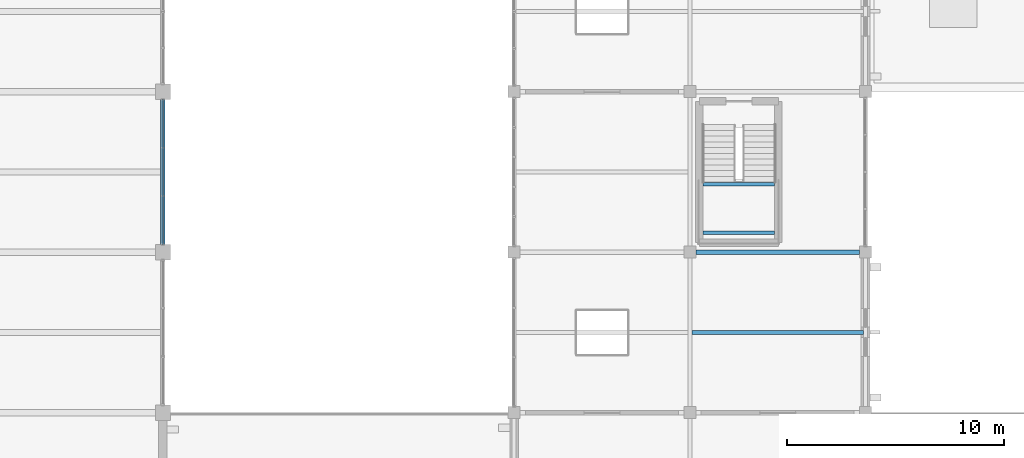
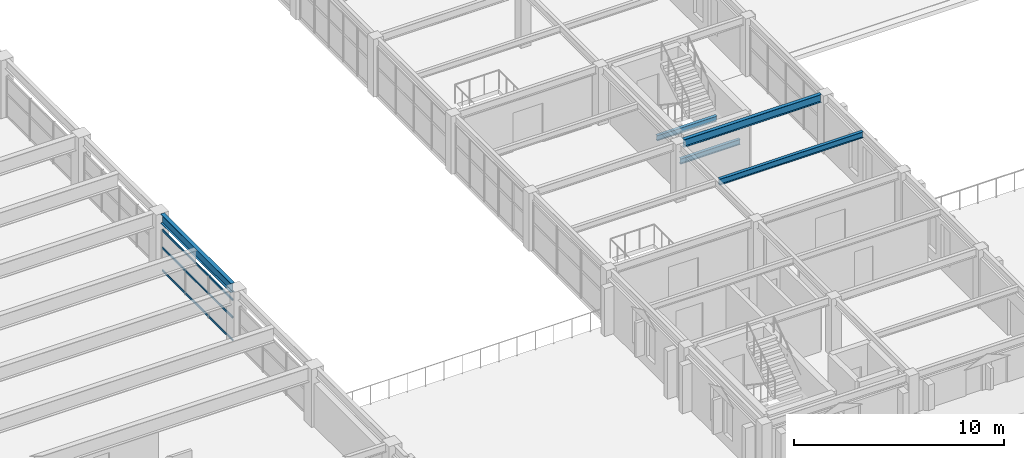
# One storey, part 34 of 121: 5 beams, 3 members, 1 element without a shape of its own.
"""IFC4 building model written with IfcOpenShell, lengths in metres."""

from ifc_helpers import new_model, si_unit, direction, frame, origin, origin_2d, place, context, subcontext, project, spatial, hollow_rectangle, i_section, extrude, material, material_profile, profile_set, type_object, element, aggregate, save


model = new_model("IFC4")

# Units and contexts
model_context = context("Model", 3, precision=1e-05, world=origin(), true_north=direction((0.0, 1.0)))
body_context = subcontext(model_context, "Body", "Model", "MODEL_VIEW")
ifc_project = project(units=[si_unit("LENGTHUNIT", "METRE"), si_unit("AREAUNIT", "SQUARE_METRE"), si_unit("VOLUMEUNIT", "CUBIC_METRE"), si_unit("PLANEANGLEUNIT", "RADIAN"), si_unit("MASSUNIT", "GRAM", prefix="KILO")], contexts=[model_context])

# Site, building, storey
site_placement = place(None, origin())
site = spatial("IfcSite", under=ifc_project, at=site_placement, CompositionType="ELEMENT")
building_placement = place(site_placement, origin())
building = spatial("IfcBuilding", under=site, at=building_placement, Name="Cimatlan Art Gallery", CompositionType="ELEMENT")
storey_placement = place(building_placement, frame((0.0, 0.0, 10.199951171875)))
storey = spatial("IfcBuildingStorey", under=building, at=storey_placement, Name="L02", CompositionType="ELEMENT", Elevation=10.199951171875)

# Beams
ifc_material_1 = material(Name="Steel ASTM A992 Grade 50", Category="steel")
ifc_material_profile_1 = material_profile(ifc_material_1, i_section(OverallWidth=0.1650390625, OverallDepth=0.31005859375, WebThickness=0.005859375, FlangeThickness=0.009765625, at=origin_2d()), Name="W12X26")
ifc_profile_set_1 = profile_set([ifc_material_profile_1], Name="Steel ASTM A992 Grade 50")
beam_type_1 = type_object("IfcBeamType", Name="BM-STL-W12X26", PredefinedType="JOIST", material=ifc_profile_set_1)
for number, where, z_axis, x_axis, name in (
    (1, (124.114990234375, 47.0, 1.425048828125), (1.0, 0.0, 0.0), (0.0, 1.0, 0.0), "BM-STR-C9-L02-LH1"),
    (2, (124.114990234375, 49.22998046875, 1.425048828125), (1.0, 0.0, 0.0), (0.0, 1.0, 0.0), "BM-STR-C9-L02-LH2"),
):
    element("IfcBeam", number, at=place(storey_placement, frame(where, z_axis=z_axis, x_axis=x_axis)), inside=storey, type_object=beam_type_1, Name=name, PredefinedType="JOIST", context=body_context, shape_type="SweptSolid", body=[
        extrude(i_section(OverallWidth=0.1650390625, OverallDepth=0.31005859375, WebThickness=0.005859375, FlangeThickness=0.009765625, at=origin_2d()), origin(), (0.0, 0.0, 1.0), 3.2900390625),
    ])
ifc_material_profile_2 = material_profile(ifc_material_1, i_section(OverallWidth=0.1708984375, OverallDepth=0.35107421875, WebThickness=0.0068359375, FlangeThickness=0.009765625, at=origin_2d()), Name="W14X30")
ifc_profile_set_2 = profile_set([ifc_material_profile_2], Name="Steel ASTM A992 Grade 50")
beam_type_2 = type_object("IfcBeamType", Name="BM-STL-W14X30", PredefinedType="JOIST", material=ifc_profile_set_2)
beam_1_placement = place(storey_placement, frame((123.595458984375, 42.39990234375, 3.194580078125), z_axis=(1.0, 0.0, 0.0), x_axis=(0.0, 1.0, 0.0)))
element("IfcBeam", 3, at=beam_1_placement, inside=storey, type_object=beam_type_2, Name="JST-L02-15-05", PredefinedType="JOIST", context=body_context, shape_type="SweptSolid", body=[
    extrude(i_section(OverallWidth=0.1708984375, OverallDepth=0.35107421875, WebThickness=0.0068359375, FlangeThickness=0.009765625, at=origin_2d()), origin(), (0.0, 0.0, 1.0), 7.908935546875),
])
ifc_material_profile_3 = material_profile(ifc_material_1, i_section(OverallWidth=0.19091796875, OverallDepth=0.45703125, WebThickness=0.009033203125, FlangeThickness=0.014404296875, at=origin_2d()), Name="W18X50")
ifc_profile_set_3 = profile_set([ifc_material_profile_3], Name="Steel ASTM A992 Grade 50")
beam_type_3 = type_object("IfcBeamType", Name="BM-STL-W18X50", PredefinedType="BEAM", material=ifc_profile_set_3)
beam_2_placement = place(storey_placement, frame((123.77490234375, 46.10009765625, 3.1416015625), z_axis=(1.0, 0.0, 0.0), x_axis=(0.0, 1.0, 0.0)))
element("IfcBeam", 4, at=beam_2_placement, inside=storey, type_object=beam_type_3, Name="BM-X-L02-15-06", PredefinedType="BEAM", context=body_context, shape_type="SweptSolid", body=[
    extrude(i_section(OverallWidth=0.19091796875, OverallDepth=0.45703125, WebThickness=0.009033203125, FlangeThickness=0.014404296875, at=origin_2d()), origin(), (0.0, 0.0, 1.0), 7.550048828125),
])
ifc_material_profile_4 = material_profile(ifc_material_1, i_section(OverallWidth=0.2099609375, OverallDepth=0.532958984375, WebThickness=0.01025390625, FlangeThickness=0.015625, at=origin_2d()), Name="W21X62")
ifc_profile_set_4 = profile_set([ifc_material_profile_4], Name="Steel ASTM A992 Grade 50")
beam_type_4 = type_object("IfcBeamType", Name="BM-STL-W21X62", PredefinedType="BEAM", material=ifc_profile_set_4)
beam_3_placement = place(storey_placement, frame((99.199951171875, 46.449951171875, 3.103515625), z_axis=(0.0, 1.0, 0.0), x_axis=(-1.0, 0.0, 0.0)))
element("IfcBeam", 5, at=beam_3_placement, inside=storey, type_object=beam_type_4, Name="BM-Y-L02-12-06", PredefinedType="BEAM", context=body_context, shape_type="SweptSolid", body=[
    extrude(i_section(OverallWidth=0.2099609375, OverallDepth=0.532958984375, WebThickness=0.01025390625, FlangeThickness=0.015625, at=origin_2d()), origin(), (0.0, 0.0, 1.0), 6.699951171875),
])

# Curtain wall, members
ifc_material_2 = material(Name="Anodised bronze unitised curtain wall")
curtain_wall_type = type_object("IfcCurtainWallType", Name="CW-V-06692X02464-B3", PredefinedType="NOTDEFINED", material=ifc_material_2)
curtain_wall_placement = place(storey_placement, origin())
curtain_wall = element("IfcCurtainWall", 6, at=curtain_wall_placement, inside=storey, type_object=curtain_wall_type, Name="CW-L02-11-06-E", PredefinedType="NOTDEFINED")
ifc_material_3 = material(Name="Anodised bronze aluminium 6063-T6", Category="aluminium")
ifc_material_profile_5 = material_profile(ifc_material_3, hollow_rectangle(XDim=0.06005859375, YDim=0.110107421875, WallThickness=0.00341796875, at=origin_2d()), Name="ALU60X110X3")
ifc_profile_set_5 = profile_set([ifc_material_profile_5], Name="Anodised bronze aluminium 6063-T6")
member_type = type_object("IfcMemberType", Name="CW-TRN-110", PredefinedType="USERDEFINED", material=ifc_profile_set_5)
member_1_placement = place(storey_placement, frame((99.199951171875, 53.14599609375, 0.06005859375), z_axis=(0.0, -1.0, 0.0), x_axis=(1.0, 0.0, 0.0)))
member_1 = element("IfcMember", 7, at=member_1_placement, type_object=member_type, Name="CW-L02-11-06-E-T1", ObjectType="TRANSOM", PredefinedType="USERDEFINED", context=body_context, shape_type="SweptSolid", body=[
    extrude(hollow_rectangle(XDim=0.06005859375, YDim=0.110107421875, WallThickness=0.00341796875, at=origin_2d()), origin(), (0.0, 0.0, 1.0), 6.69189453125),
])
member_2_placement = place(storey_placement, frame((99.199951171875, 53.14599609375, 1.3798828125), z_axis=(0.0, -1.0, 0.0), x_axis=(1.0, 0.0, 0.0)))
member_2 = element("IfcMember", 8, at=member_2_placement, type_object=member_type, Name="CW-L02-11-06-E-T2", ObjectType="TRANSOM", PredefinedType="USERDEFINED", context=body_context, shape_type="SweptSolid", body=[
    extrude(hollow_rectangle(XDim=0.06005859375, YDim=0.110107421875, WallThickness=0.00341796875, at=origin_2d()), origin(), (0.0, 0.0, 1.0), 6.69189453125),
])
member_3_placement = place(storey_placement, frame((99.199951171875, 53.14599609375, 2.404052734375), z_axis=(0.0, -1.0, 0.0), x_axis=(1.0, 0.0, 0.0)))
member_3 = element("IfcMember", 9, at=member_3_placement, type_object=member_type, Name="CW-L02-11-06-E-T3", ObjectType="TRANSOM", PredefinedType="USERDEFINED", context=body_context, shape_type="SweptSolid", body=[
    extrude(hollow_rectangle(XDim=0.06005859375, YDim=0.110107421875, WallThickness=0.00341796875, at=origin_2d()), origin(), (0.0, 0.0, 1.0), 6.69189453125),
])
aggregate(curtain_wall, [member_1, member_2, member_3])

save(model, "model.ifc")
